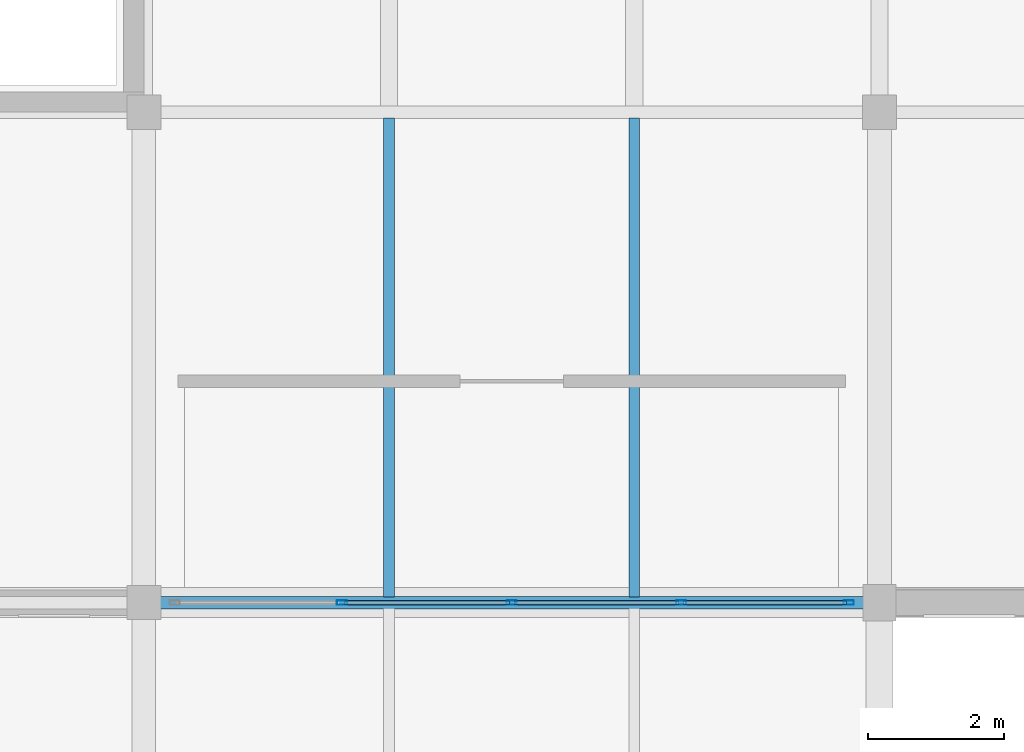
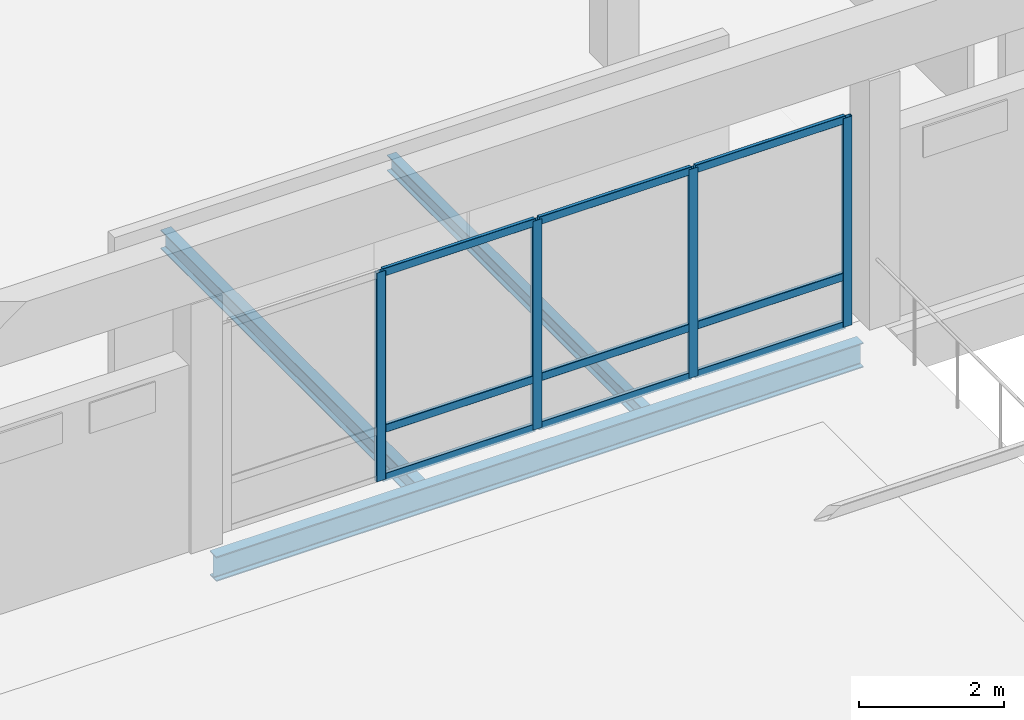
# One storey, part 10 of 33: 13 members, 3 beams, 1 element without a shape of its own.
"""IFC4 building model written with IfcOpenShell, lengths in metres."""

from ifc_helpers import new_model, si_unit, direction, frame, origin, origin_2d, place, context, subcontext, project, spatial, hollow_rectangle, i_section, extrude, material, material_profile, profile_set, type_object, element, aggregate, save


model = new_model("IFC4")

# Units and contexts
model_context = context("Model", 3, precision=1e-05, world=origin(), true_north=direction((0.0, 1.0)))
body_context = subcontext(model_context, "Body", "Model", "MODEL_VIEW")
ifc_project = project(units=[si_unit("LENGTHUNIT", "METRE"), si_unit("AREAUNIT", "SQUARE_METRE"), si_unit("VOLUMEUNIT", "CUBIC_METRE"), si_unit("PLANEANGLEUNIT", "RADIAN"), si_unit("MASSUNIT", "GRAM", prefix="KILO")], contexts=[model_context])

# Site, building, storey
site_placement = place(None, origin())
site = spatial("IfcSite", under=ifc_project, at=site_placement, CompositionType="ELEMENT")
building_placement = place(site_placement, origin())
building = spatial("IfcBuilding", under=site, at=building_placement, Name="Lusvemor Sports Hall", CompositionType="ELEMENT")
storey_placement = place(building_placement, frame((0.0, 0.0, 19.199951171875)))
storey = spatial("IfcBuildingStorey", under=building, at=storey_placement, Name="L04", CompositionType="ELEMENT", Elevation=19.199951171875)

# Beam
ifc_material_1 = material(Name="Steel S355", Category="steel")
ifc_material_profile_1 = material_profile(ifc_material_1, i_section(OverallWidth=0.180908203125, OverallDepth=0.4169921875, WebThickness=0.010986328125, FlangeThickness=0.018310546875, FilletRadius=0.01611328125, at=origin_2d()), Name="W410x85.0")
ifc_profile_set_1 = profile_set([ifc_material_profile_1], Name="Steel S355")
beam_type_1 = type_object("IfcBeamType", Name="BEAM_ST_410H", PredefinedType="BEAM", material=ifc_profile_set_1)
beam_1_placement = place(storey_placement, frame((11.0458984375, 97.199951171875, -0.52734375), z_axis=(1.0, 0.0, 0.0), x_axis=(0.0, 1.0, 0.0)))
element("IfcBeam", 1, at=beam_1_placement, inside=storey, type_object=beam_type_1, Name="Beam L04 N:2-3", PredefinedType="BEAM", context=body_context, shape_type="SweptSolid", body=[
    extrude(i_section(OverallWidth=0.180908203125, OverallDepth=0.4169921875, WebThickness=0.010986328125, FlangeThickness=0.018310546875, FilletRadius=0.01611328125, at=origin_2d()), origin(), (0.0, 0.0, 1.0), 10.318115234375),
])

# Curtain wall, members
ifc_material_2 = material(Name="Thermally broken bronze-anodized aluminium", Category="aluminium")
curtain_wall_type = type_object("IfcCurtainWallType", Name="CW_WING_B", PredefinedType="NOTDEFINED", material=ifc_material_2)
curtain_wall_placement = place(storey_placement, origin())
curtain_wall = element("IfcCurtainWall", 2, at=curtain_wall_placement, inside=storey, type_object=curtain_wall_type, Name="Curtain Wall CW-L04-S-3-1", PredefinedType="NOTDEFINED")
ifc_material_3 = material(Name="Thermally broken bronze-anodized aluminium", Category="aluminium")
ifc_material_profile_2 = material_profile(ifc_material_3, hollow_rectangle(XDim=0.06494140625, YDim=0.14990234375, WallThickness=0.00390625, InnerFilletRadius=0.00390625, OuterFilletRadius=0.008056640625, at=origin_2d()), Name="CWMUL150x65x4")
ifc_profile_set_2 = profile_set([ifc_material_profile_2], Name="Thermally broken bronze-anodized aluminium")
member_type_1 = type_object("IfcMemberType", Name="CW_MUL_B", PredefinedType="MULLION", material=ifc_profile_set_2)
member_1_placement = place(storey_placement, frame((21.1474609375, 97.199951171875, 0.0), z_axis=(0.0, 0.0, 1.0), x_axis=(0.0, -1.0, 0.0)))
member_1 = element("IfcMember", 3, at=member_1_placement, type_object=member_type_1, Name="CW02 mullion 1", PredefinedType="MULLION", context=body_context, shape_type="SweptSolid", body=[
    extrude(hollow_rectangle(XDim=0.06494140625, YDim=0.14990234375, WallThickness=0.00390625, InnerFilletRadius=0.00390625, OuterFilletRadius=0.008056640625, at=origin_2d()), origin(), (0.0, 0.0, 1.0), 3.52001953125),
])
member_2_placement = place(storey_placement, frame((18.68994140625, 97.199951171875, 0.0), z_axis=(0.0, 0.0, 1.0), x_axis=(0.0, -1.0, 0.0)))
member_2 = element("IfcMember", 4, at=member_2_placement, type_object=member_type_1, Name="CW02 mullion 2", PredefinedType="MULLION", context=body_context, shape_type="SweptSolid", body=[
    extrude(hollow_rectangle(XDim=0.06494140625, YDim=0.14990234375, WallThickness=0.00390625, InnerFilletRadius=0.00390625, OuterFilletRadius=0.008056640625, at=origin_2d()), origin(), (0.0, 0.0, 1.0), 3.52001953125),
])
member_3_placement = place(storey_placement, frame((16.199951171875, 97.199951171875, 0.0), z_axis=(0.0, 0.0, 1.0), x_axis=(0.0, -1.0, 0.0)))
member_3 = element("IfcMember", 5, at=member_3_placement, type_object=member_type_1, Name="CW02 mullion 3", PredefinedType="MULLION", context=body_context, shape_type="SweptSolid", body=[
    extrude(hollow_rectangle(XDim=0.06494140625, YDim=0.14990234375, WallThickness=0.00390625, InnerFilletRadius=0.00390625, OuterFilletRadius=0.008056640625, at=origin_2d()), origin(), (0.0, 0.0, 1.0), 3.52001953125),
])
member_4_placement = place(storey_placement, frame((13.7099609375, 97.199951171875, 0.0), z_axis=(0.0, 0.0, 1.0), x_axis=(0.0, -1.0, 0.0)))
member_4 = element("IfcMember", 6, at=member_4_placement, type_object=member_type_1, Name="CW02 mullion 4", PredefinedType="MULLION", context=body_context, shape_type="SweptSolid", body=[
    extrude(hollow_rectangle(XDim=0.06494140625, YDim=0.14990234375, WallThickness=0.00390625, InnerFilletRadius=0.00390625, OuterFilletRadius=0.008056640625, at=origin_2d()), origin(), (0.0, 0.0, 1.0), 3.52001953125),
])
ifc_material_4 = material(Name="Thermally broken bronze-anodized aluminium", Category="aluminium")
ifc_material_profile_3 = material_profile(ifc_material_4, hollow_rectangle(XDim=0.06005859375, YDim=0.135009765625, WallThickness=0.00390625, InnerFilletRadius=0.00390625, OuterFilletRadius=0.008056640625, at=origin_2d()), Name="CWTRN135x60x4")
ifc_profile_set_3 = profile_set([ifc_material_profile_3], Name="Thermally broken bronze-anodized aluminium")
member_type_2 = type_object("IfcMemberType", Name="CW_TRN_B", PredefinedType="USERDEFINED", material=ifc_profile_set_3)
member_5_placement = place(storey_placement, frame((21.114990234375, 97.199951171875, 0.030029296875), z_axis=(-1.0, 0.0, 0.0), x_axis=(0.0, -1.0, 0.0)))
member_5 = element("IfcMember", 7, at=member_5_placement, type_object=member_type_2, Name="CW02 transom 1.1", ObjectType="TRANSOM", PredefinedType="USERDEFINED", context=body_context, shape_type="SweptSolid", body=[
    extrude(hollow_rectangle(XDim=0.06005859375, YDim=0.135009765625, WallThickness=0.00390625, InnerFilletRadius=0.00390625, OuterFilletRadius=0.008056640625, at=origin_2d()), origin(), (0.0, 0.0, 1.0), 2.392578125),
])
member_6_placement = place(storey_placement, frame((21.114990234375, 97.199951171875, 0.85009765625), z_axis=(-1.0, 0.0, 0.0), x_axis=(0.0, -1.0, 0.0)))
member_6 = element("IfcMember", 8, at=member_6_placement, type_object=member_type_2, Name="CW02 transom 1.2", ObjectType="TRANSOM", PredefinedType="USERDEFINED", context=body_context, shape_type="SweptSolid", body=[
    extrude(hollow_rectangle(XDim=0.06005859375, YDim=0.135009765625, WallThickness=0.00390625, InnerFilletRadius=0.00390625, OuterFilletRadius=0.008056640625, at=origin_2d()), origin(), (0.0, 0.0, 1.0), 2.392578125),
])
member_7_placement = place(storey_placement, frame((21.114990234375, 97.199951171875, 3.489990234375), z_axis=(-1.0, 0.0, 0.0), x_axis=(0.0, -1.0, 0.0)))
member_7 = element("IfcMember", 9, at=member_7_placement, type_object=member_type_2, Name="CW02 transom 1.3", ObjectType="TRANSOM", PredefinedType="USERDEFINED", context=body_context, shape_type="SweptSolid", body=[
    extrude(hollow_rectangle(XDim=0.06005859375, YDim=0.135009765625, WallThickness=0.00390625, InnerFilletRadius=0.00390625, OuterFilletRadius=0.008056640625, at=origin_2d()), origin(), (0.0, 0.0, 1.0), 2.392578125),
])
member_8_placement = place(storey_placement, frame((18.657470703125, 97.199951171875, 0.030029296875), z_axis=(-1.0, 0.0, 0.0), x_axis=(0.0, -1.0, 0.0)))
member_8 = element("IfcMember", 10, at=member_8_placement, type_object=member_type_2, Name="CW02 transom 2.1", ObjectType="TRANSOM", PredefinedType="USERDEFINED", context=body_context, shape_type="SweptSolid", body=[
    extrude(hollow_rectangle(XDim=0.06005859375, YDim=0.135009765625, WallThickness=0.00390625, InnerFilletRadius=0.00390625, OuterFilletRadius=0.008056640625, at=origin_2d()), origin(), (0.0, 0.0, 1.0), 2.425048828125),
])
member_9_placement = place(storey_placement, frame((18.657470703125, 97.199951171875, 0.85009765625), z_axis=(-1.0, 0.0, 0.0), x_axis=(0.0, -1.0, 0.0)))
member_9 = element("IfcMember", 11, at=member_9_placement, type_object=member_type_2, Name="CW02 transom 2.2", ObjectType="TRANSOM", PredefinedType="USERDEFINED", context=body_context, shape_type="SweptSolid", body=[
    extrude(hollow_rectangle(XDim=0.06005859375, YDim=0.135009765625, WallThickness=0.00390625, InnerFilletRadius=0.00390625, OuterFilletRadius=0.008056640625, at=origin_2d()), origin(), (0.0, 0.0, 1.0), 2.425048828125),
])
member_10_placement = place(storey_placement, frame((18.657470703125, 97.199951171875, 3.489990234375), z_axis=(-1.0, 0.0, 0.0), x_axis=(0.0, -1.0, 0.0)))
member_10 = element("IfcMember", 12, at=member_10_placement, type_object=member_type_2, Name="CW02 transom 2.3", ObjectType="TRANSOM", PredefinedType="USERDEFINED", context=body_context, shape_type="SweptSolid", body=[
    extrude(hollow_rectangle(XDim=0.06005859375, YDim=0.135009765625, WallThickness=0.00390625, InnerFilletRadius=0.00390625, OuterFilletRadius=0.008056640625, at=origin_2d()), origin(), (0.0, 0.0, 1.0), 2.425048828125),
])
member_11_placement = place(storey_placement, frame((16.16748046875, 97.199951171875, 0.030029296875), z_axis=(-1.0, 0.0, 0.0), x_axis=(0.0, -1.0, 0.0)))
member_11 = element("IfcMember", 13, at=member_11_placement, type_object=member_type_2, Name="CW02 transom 3.1", ObjectType="TRANSOM", PredefinedType="USERDEFINED", context=body_context, shape_type="SweptSolid", body=[
    extrude(hollow_rectangle(XDim=0.06005859375, YDim=0.135009765625, WallThickness=0.00390625, InnerFilletRadius=0.00390625, OuterFilletRadius=0.008056640625, at=origin_2d()), origin(), (0.0, 0.0, 1.0), 2.425048828125),
])
member_12_placement = place(storey_placement, frame((16.16748046875, 97.199951171875, 0.85009765625), z_axis=(-1.0, 0.0, 0.0), x_axis=(0.0, -1.0, 0.0)))
member_12 = element("IfcMember", 14, at=member_12_placement, type_object=member_type_2, Name="CW02 transom 3.2", ObjectType="TRANSOM", PredefinedType="USERDEFINED", context=body_context, shape_type="SweptSolid", body=[
    extrude(hollow_rectangle(XDim=0.06005859375, YDim=0.135009765625, WallThickness=0.00390625, InnerFilletRadius=0.00390625, OuterFilletRadius=0.008056640625, at=origin_2d()), origin(), (0.0, 0.0, 1.0), 2.425048828125),
])
member_13_placement = place(storey_placement, frame((16.16748046875, 97.199951171875, 3.489990234375), z_axis=(-1.0, 0.0, 0.0), x_axis=(0.0, -1.0, 0.0)))
member_13 = element("IfcMember", 15, at=member_13_placement, type_object=member_type_2, Name="CW02 transom 3.3", ObjectType="TRANSOM", PredefinedType="USERDEFINED", context=body_context, shape_type="SweptSolid", body=[
    extrude(hollow_rectangle(XDim=0.06005859375, YDim=0.135009765625, WallThickness=0.00390625, InnerFilletRadius=0.00390625, OuterFilletRadius=0.008056640625, at=origin_2d()), origin(), (0.0, 0.0, 1.0), 2.425048828125),
])
aggregate(curtain_wall, [member_1, member_2, member_3, member_4, member_5, member_6, member_7, member_8, member_9, member_10, member_11, member_12, member_13])

# Beams
ifc_material_5 = material(Name="Steel S355", Category="steel")
ifc_material_profile_4 = material_profile(ifc_material_5, i_section(OverallWidth=0.14794921875, OverallDepth=0.26611328125, WebThickness=0.007568359375, FlangeThickness=0.012939453125, FilletRadius=0.012939453125, at=origin_2d()), Name="W250x44.8")
ifc_profile_set_4 = profile_set([ifc_material_profile_4], Name="Steel S355")
beam_type_2 = type_object("IfcBeamType", Name="JOIST_ST_250M", PredefinedType="JOIST", material=ifc_profile_set_4)
beam_2_placement = place(storey_placement, frame((18.0, 97.28662109375, -0.451904296875), z_axis=(0.0, 1.0, 0.0), x_axis=(-1.0, 0.0, 0.0)))
element("IfcBeam", 16, at=beam_2_placement, inside=storey, type_object=beam_type_2, Name="Secondary Joist L04 2-3/N-P #2", PredefinedType="JOIST", context=body_context, shape_type="SweptSolid", body=[
    extrude(i_section(OverallWidth=0.14794921875, OverallDepth=0.26611328125, WebThickness=0.007568359375, FlangeThickness=0.012939453125, FilletRadius=0.012939453125, at=origin_2d()), origin(), (0.0, 0.0, 1.0), 7.02685546875),
])
ifc_material_6 = material(Name="Steel S355", Category="steel")
ifc_material_profile_5 = material_profile(ifc_material_6, i_section(OverallWidth=0.1669921875, OverallDepth=0.31689453125, WebThickness=0.007568359375, FlangeThickness=0.01318359375, FilletRadius=0.014892578125, at=origin_2d()), Name="W310x52.0")
ifc_profile_set_5 = profile_set([ifc_material_profile_5], Name="Steel S355")
beam_type_3 = type_object("IfcBeamType", Name="JOIST_ST_310M", PredefinedType="JOIST", material=ifc_profile_set_5)
beam_3_placement = place(storey_placement, frame((14.39990234375, 97.28662109375, -0.4775390625), z_axis=(0.0, 1.0, 0.0), x_axis=(-1.0, 0.0, 0.0)))
element("IfcBeam", 17, at=beam_3_placement, inside=storey, type_object=beam_type_3, Name="Secondary Joist L04 2-3/N-P #1", PredefinedType="JOIST", context=body_context, shape_type="SweptSolid", body=[
    extrude(i_section(OverallWidth=0.1669921875, OverallDepth=0.31689453125, WebThickness=0.007568359375, FlangeThickness=0.01318359375, FilletRadius=0.014892578125, at=origin_2d()), origin(), (0.0, 0.0, 1.0), 7.02685546875),
])

save(model, "model.ifc")
